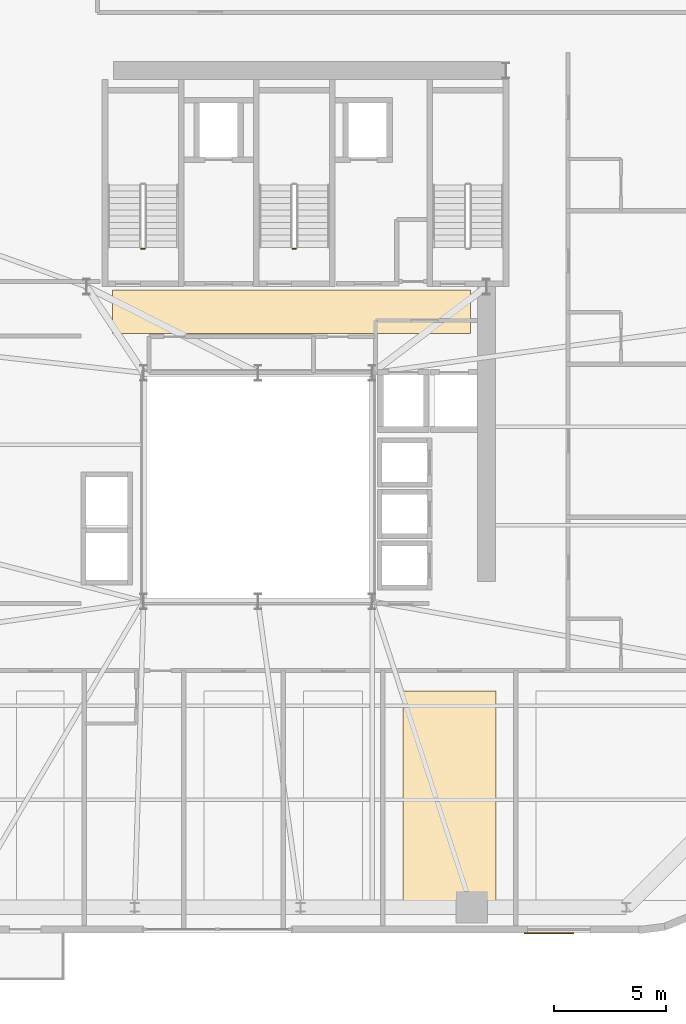
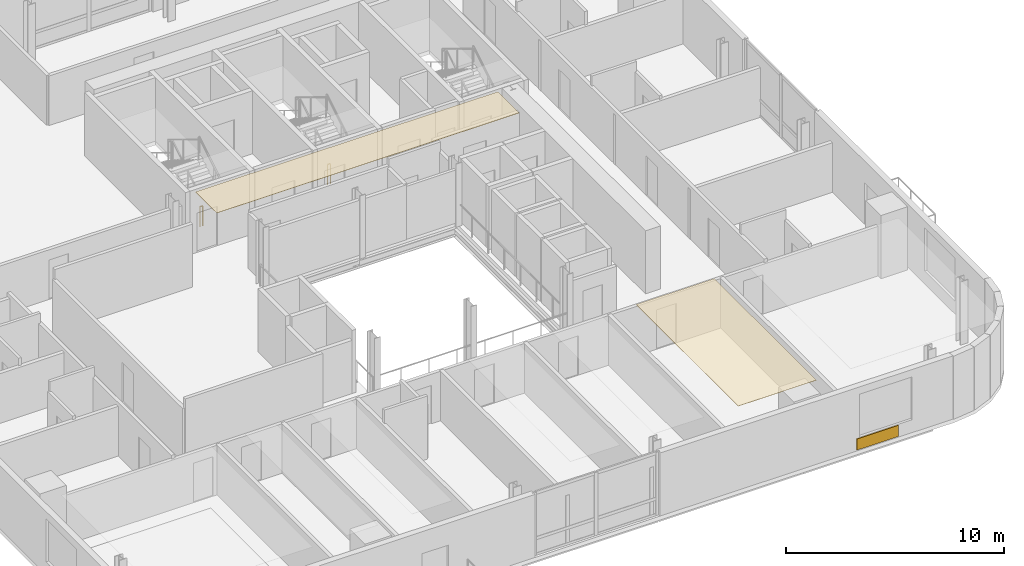
# One storey, part 13 of 16: 3 coverings, 2 railings.
"""IFC4 building model written with IfcOpenShell, lengths in metres."""

from ifc_helpers import new_model, si_unit, direction, frame, origin, origin_2d, place, context, subcontext, project, spatial, polyline, rectangle, outline, extrude, source, transform, mapped, material, layer, layer_set, type_object, element, save


model = new_model("IFC4")

# Units and contexts
model_context = context("Model", 3, precision=1e-05, world=origin(), true_north=direction((0.0, 1.0)))
body_context = subcontext(model_context, "Body", "Model", "MODEL_VIEW")
ifc_project = project(units=[si_unit("LENGTHUNIT", "METRE"), si_unit("AREAUNIT", "SQUARE_METRE"), si_unit("VOLUMEUNIT", "CUBIC_METRE"), si_unit("PLANEANGLEUNIT", "RADIAN"), si_unit("MASSUNIT", "GRAM", prefix="KILO")], contexts=[model_context])

# Site, building, storey
site_placement = place(None, origin())
site = spatial("IfcSite", under=ifc_project, at=site_placement, CompositionType="ELEMENT")
building_placement = place(site_placement, origin())
building = spatial("IfcBuilding", under=site, at=building_placement, Name="Vardaveli Station Tower", CompositionType="ELEMENT")
storey_placement = place(building_placement, frame((0.0, 0.0, 211.050048828125)))
storey = spatial("IfcBuildingStorey", under=building, at=storey_placement, Name="L54", CompositionType="ELEMENT", Elevation=211.050048828125)

# Coverings
ifc_material_1 = material(Name="Perforated acoustic mineral ceiling")
ifc_layer_1 = layer(ifc_material_1, 0.02001953125, Name="Perforated acoustic mineral ceiling")
ifc_layer_set_1 = layer_set([ifc_layer_1], Name="Perforated acoustic mineral ceiling")
covering_type_1 = type_object("IfcCoveringType", Name="COV-CEIL-AC20", PredefinedType="CEILING", material=ifc_layer_set_1)
covering_1_placement = place(storey_placement, frame((0.0, 0.0, 3.514892578125)))
element("IfcCovering", 1, at=covering_1_placement, inside=storey, type_object=covering_type_1, Name="CEIL-L54-6", PredefinedType="CEILING", context=body_context, shape_type="SweptSolid", body=[
    extrude(outline(polyline([(42.7783203125, 3.25), (46.919921875, 3.25), (46.919921875, 12.610107421875), (42.7783203125, 12.610107421875), (42.7783203125, 3.25)])), origin(), (0.0, 0.0, 1.0), 0.02001953125),
])
covering_2_placement = place(storey_placement, frame((0.0, 0.0, 3.514892578125)))
element("IfcCovering", 2, at=covering_2_placement, inside=storey, type_object=covering_type_1, Name="CEIL-L54-8", PredefinedType="CEILING", context=body_context, shape_type="SweptSolid", body=[
    extrude(outline(polyline([(29.800048828125, 28.550048828125), (45.800048828125, 28.550048828125), (45.800048828125, 30.5), (29.800048828125, 30.5), (29.800048828125, 28.550048828125)])), origin(), (0.0, 0.0, 1.0), 0.02001953125),
])
ifc_material_2 = material(Name="Ventilated honed travertine stone cladding", Category="masonry")
ifc_layer_2 = layer(ifc_material_2, 0.044921875, Name="Ventilated honed travertine stone cladding")
ifc_layer_set_2 = layer_set([ifc_layer_2], Name="Ventilated honed travertine stone cladding")
covering_type_2 = type_object("IfcCoveringType", Name="COV-CLAD-TR45", PredefinedType="CLADDING", material=ifc_layer_set_2)
shared_shape_1 = source(origin(), body_context, "Body", "SweptSolid", [
    extrude(rectangle(XDim=2.199951171875, YDim=0.044921875, at=origin_2d()), origin(), (0.0, 0.0, 1.0), 0.6201171875),
])
covering_3_placement = place(storey_placement, frame((49.294921875, 1.785400390625, 0.06982421875), z_axis=(0.0, 0.0, 1.0), x_axis=(1.0, 0.0, 0.0)))
element("IfcCovering", 3, at=covering_3_placement, inside=storey, type_object=covering_type_2, Name="CLD-TR-L54-S", PredefinedType="CLADDING", context=body_context, shape_type="MappedRepresentation", body=[
    mapped(shared_shape_1, transform((0.0, 0.0, 0.0), scale=1.0)),
])

# Railings
ifc_material_3 = material(Name="Brushed AISI 316 stainless steel", Category="steel")
railing_type = type_object("IfcRailingType", Name="RL-GUARD-1150", PredefinedType="GUARDRAIL", material=ifc_material_3)
shared_shape_2 = source(origin(), body_context, "Body", "SweptSolid", [
    extrude(rectangle(XDim=0.048095703125, YDim=0.048095703125, at=origin_2d()), frame((0.0, 0.0, 1.1259765625), z_axis=(-1.0, 0.0, 0.0), x_axis=(0.0, -1.0, 0.0)), (0.0, 0.0, 1.0), 0.14990234375),
    extrude(rectangle(XDim=0.0419921875, YDim=0.0419921875, at=origin_2d()), origin(), (0.0, 0.0, 1.0), 1.101806640625),
    extrude(rectangle(XDim=0.0419921875, YDim=0.0419921875, at=origin_2d()), frame((-0.14990234375, 0.0, 0.0)), (0.0, 0.0, 1.0), 1.101806640625),
])
for number, where, name in (
    (4, (31.25, 32.35009765625, 0.0), "L54 ST-1 stair guard 4"),
    (5, (38.0, 32.35009765625, 0.0), "L54 ST-2 stair guard 4"),
):
    element("IfcRailing", number, at=place(storey_placement, frame(where)), inside=storey, type_object=railing_type, Name=name, PredefinedType="GUARDRAIL", context=body_context, shape_type="MappedRepresentation", body=[
        mapped(shared_shape_2, transform((0.0, 0.0, 0.0), scale=1.0)),
    ])

save(model, "model.ifc")
